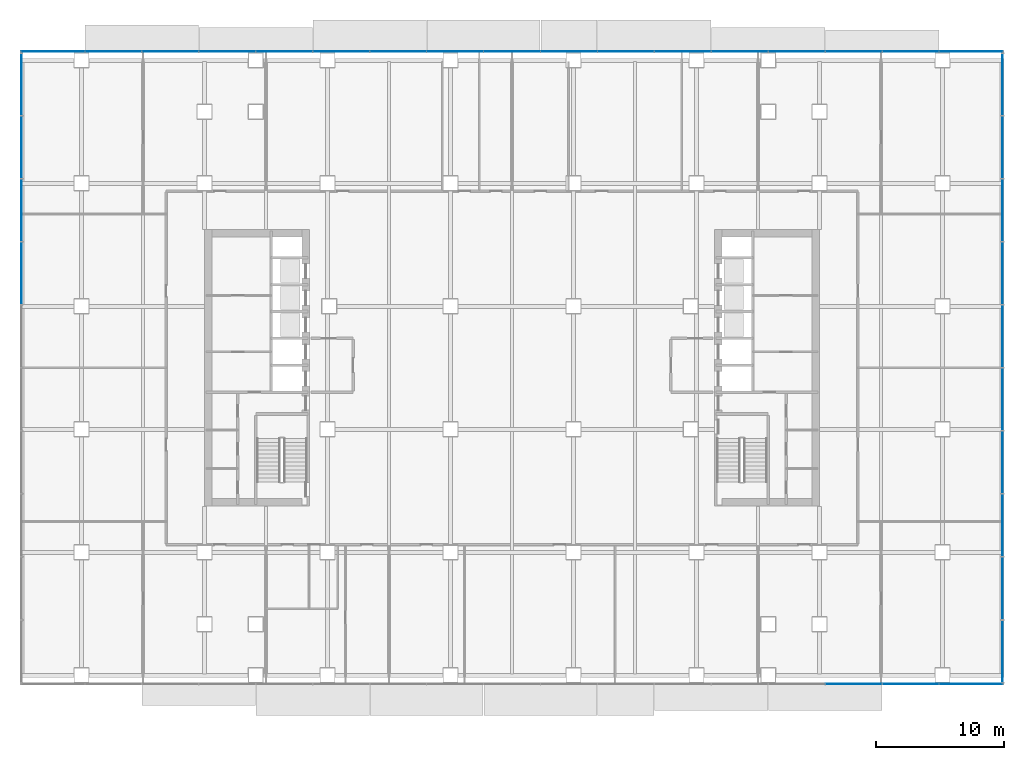
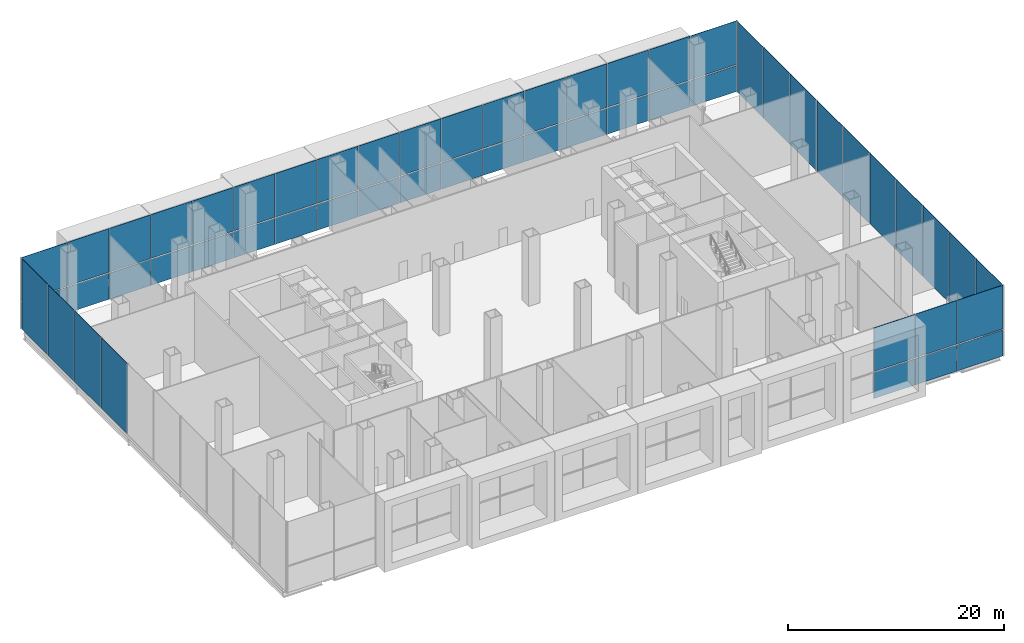
# One storey, part 14 of 24: 54 plates, 4 elements without a shape of their own.
"""IFC4 building model written with IfcOpenShell, lengths in metres."""

from ifc_helpers import new_model, si_unit, direction, frame, origin, origin_2d, place, context, subcontext, project, spatial, rectangle, extrude, material, layer, layer_set, type_object, element, aggregate, save


model = new_model("IFC4")

# Units and contexts
model_context = context("Model", 3, precision=1e-05, world=origin(), true_north=direction((0.0, 1.0)))
body_context = subcontext(model_context, "Body", "Model", "MODEL_VIEW")
ifc_project = project(units=[si_unit("LENGTHUNIT", "METRE"), si_unit("AREAUNIT", "SQUARE_METRE"), si_unit("VOLUMEUNIT", "CUBIC_METRE"), si_unit("PLANEANGLEUNIT", "RADIAN"), si_unit("MASSUNIT", "GRAM", prefix="KILO")], contexts=[model_context])

# Site, building, storey
site_placement = place(None, origin())
site = spatial("IfcSite", under=ifc_project, at=site_placement, CompositionType="ELEMENT")
building_placement = place(site_placement, origin())
building = spatial("IfcBuilding", under=site, at=building_placement, Name="Cobrizo Arcos Hotel Tower", CompositionType="ELEMENT")
storey_placement = place(building_placement, frame((0.0, 0.0, 7.5)))
storey = spatial("IfcBuildingStorey", under=building, at=storey_placement, Name="L01", CompositionType="ELEMENT", Elevation=7.5)

# Curtain wall, plates
ifc_material_1 = material(Name="Aluminium 6063-T6 anodised bronze", Category="aluminium")
curtain_wall_type_1 = type_object("IfcCurtainWallType", Name="CW-A guest facade", PredefinedType="NOTDEFINED", material=ifc_material_1)
curtain_wall_1_placement = place(storey_placement, origin())
curtain_wall_1 = element("IfcCurtainWall", 1, at=curtain_wall_1_placement, inside=storey, type_object=curtain_wall_type_1, Name="CW-A L01 N face", PredefinedType="NOTDEFINED")
ifc_material_2 = material(Name="Glass clear laminated low-e", Category="glass")
ifc_layer_1 = layer(ifc_material_2, 0.0400390625)
ifc_layer_set_1 = layer_set([ifc_layer_1], Name="CW-A glass panel")
plate_type_1 = type_object("IfcPlateType", Name="CW-A glass panel", PredefinedType="CURTAIN_PANEL", material=ifc_layer_set_1)
plate_1_placement = place(storey_placement, frame((35.839111328125, 24.675048828125, 0.0), z_axis=(0.0, 0.0, 1.0), x_axis=(-1.0, 0.0, 0.0)))
plate_1 = element("IfcPlate", 2, at=plate_1_placement, type_object=plate_type_1, Name="CW-A glass panel 63", PredefinedType="CURTAIN_PANEL", context=body_context, shape_type="SweptSolid", body=[
    extrude(rectangle(XDim=4.95166015625, YDim=0.0400390625, at=origin_2d()), origin(), (0.0, 0.0, 1.0), 2.93994140625),
])
plate_2_placement = place(storey_placement, frame((35.839111328125, 24.675048828125, 3.06005859375), z_axis=(0.0, 0.0, 1.0), x_axis=(-1.0, 0.0, 0.0)))
plate_2 = element("IfcPlate", 3, at=plate_2_placement, type_object=plate_type_1, Name="CW-A glass panel 63", PredefinedType="CURTAIN_PANEL", context=body_context, shape_type="SweptSolid", body=[
    extrude(rectangle(XDim=4.95166015625, YDim=0.0400390625, at=origin_2d()), origin(), (0.0, 0.0, 1.0), 4.93994140625),
])
plate_3_placement = place(storey_placement, frame((31.111083984375, 24.675048828125, 0.0), z_axis=(0.0, 0.0, 1.0), x_axis=(-1.0, 0.0, 0.0)))
plate_3 = element("IfcPlate", 4, at=plate_3_placement, type_object=plate_type_1, Name="CW-A glass panel 64", PredefinedType="CURTAIN_PANEL", context=body_context, shape_type="SweptSolid", body=[
    extrude(rectangle(XDim=4.384521484375, YDim=0.0400390625, at=origin_2d()), origin(), (0.0, 0.0, 1.0), 2.93994140625),
])
plate_4_placement = place(storey_placement, frame((31.111083984375, 24.675048828125, 3.06005859375), z_axis=(0.0, 0.0, 1.0), x_axis=(-1.0, 0.0, 0.0)))
plate_4 = element("IfcPlate", 5, at=plate_4_placement, type_object=plate_type_1, Name="CW-A glass panel 64", PredefinedType="CURTAIN_PANEL", context=body_context, shape_type="SweptSolid", body=[
    extrude(rectangle(XDim=4.384521484375, YDim=0.0400390625, at=origin_2d()), origin(), (0.0, 0.0, 1.0), 4.93994140625),
])
plate_5_placement = place(storey_placement, frame((26.666748046875, 24.675048828125, 0.0), z_axis=(0.0, 0.0, 1.0), x_axis=(-1.0, 0.0, 0.0)))
plate_5 = element("IfcPlate", 6, at=plate_5_placement, type_object=plate_type_1, Name="CW-A glass panel 65", PredefinedType="CURTAIN_PANEL", context=body_context, shape_type="SweptSolid", body=[
    extrude(rectangle(XDim=4.384521484375, YDim=0.0400390625, at=origin_2d()), origin(), (0.0, 0.0, 1.0), 2.93994140625),
])
plate_6_placement = place(storey_placement, frame((26.666748046875, 24.675048828125, 3.06005859375), z_axis=(0.0, 0.0, 1.0), x_axis=(-1.0, 0.0, 0.0)))
plate_6 = element("IfcPlate", 7, at=plate_6_placement, type_object=plate_type_1, Name="CW-A glass panel 65", PredefinedType="CURTAIN_PANEL", context=body_context, shape_type="SweptSolid", body=[
    extrude(rectangle(XDim=4.384521484375, YDim=0.0400390625, at=origin_2d()), origin(), (0.0, 0.0, 1.0), 4.93994140625),
])
plate_7_placement = place(storey_placement, frame((22.22216796875, 24.675048828125, 0.0), z_axis=(0.0, 0.0, 1.0), x_axis=(-1.0, 0.0, 0.0)))
plate_7 = element("IfcPlate", 8, at=plate_7_placement, type_object=plate_type_1, Name="CW-A glass panel 66", PredefinedType="CURTAIN_PANEL", context=body_context, shape_type="SweptSolid", body=[
    extrude(rectangle(XDim=4.384521484375, YDim=0.0400390625, at=origin_2d()), origin(), (0.0, 0.0, 1.0), 2.93994140625),
])
plate_8_placement = place(storey_placement, frame((22.22216796875, 24.675048828125, 3.06005859375), z_axis=(0.0, 0.0, 1.0), x_axis=(-1.0, 0.0, 0.0)))
plate_8 = element("IfcPlate", 9, at=plate_8_placement, type_object=plate_type_1, Name="CW-A glass panel 66", PredefinedType="CURTAIN_PANEL", context=body_context, shape_type="SweptSolid", body=[
    extrude(rectangle(XDim=4.384521484375, YDim=0.0400390625, at=origin_2d()), origin(), (0.0, 0.0, 1.0), 4.93994140625),
])
plate_9_placement = place(storey_placement, frame((17.77783203125, 24.675048828125, 0.0), z_axis=(0.0, 0.0, 1.0), x_axis=(-1.0, 0.0, 0.0)))
plate_9 = element("IfcPlate", 10, at=plate_9_placement, type_object=plate_type_1, Name="CW-A glass panel 67", PredefinedType="CURTAIN_PANEL", context=body_context, shape_type="SweptSolid", body=[
    extrude(rectangle(XDim=4.384521484375, YDim=0.0400390625, at=origin_2d()), origin(), (0.0, 0.0, 1.0), 2.93994140625),
])
plate_10_placement = place(storey_placement, frame((17.77783203125, 24.675048828125, 3.06005859375), z_axis=(0.0, 0.0, 1.0), x_axis=(-1.0, 0.0, 0.0)))
plate_10 = element("IfcPlate", 11, at=plate_10_placement, type_object=plate_type_1, Name="CW-A glass panel 67", PredefinedType="CURTAIN_PANEL", context=body_context, shape_type="SweptSolid", body=[
    extrude(rectangle(XDim=4.384521484375, YDim=0.0400390625, at=origin_2d()), origin(), (0.0, 0.0, 1.0), 4.93994140625),
])
plate_11_placement = place(storey_placement, frame((13.333251953125, 24.675048828125, 0.0), z_axis=(0.0, 0.0, 1.0), x_axis=(-1.0, 0.0, 0.0)))
plate_11 = element("IfcPlate", 12, at=plate_11_placement, type_object=plate_type_1, Name="CW-A glass panel 68", PredefinedType="CURTAIN_PANEL", context=body_context, shape_type="SweptSolid", body=[
    extrude(rectangle(XDim=4.384521484375, YDim=0.0400390625, at=origin_2d()), origin(), (0.0, 0.0, 1.0), 2.93994140625),
])
plate_12_placement = place(storey_placement, frame((13.333251953125, 24.675048828125, 3.06005859375), z_axis=(0.0, 0.0, 1.0), x_axis=(-1.0, 0.0, 0.0)))
plate_12 = element("IfcPlate", 13, at=plate_12_placement, type_object=plate_type_1, Name="CW-A glass panel 68", PredefinedType="CURTAIN_PANEL", context=body_context, shape_type="SweptSolid", body=[
    extrude(rectangle(XDim=4.384521484375, YDim=0.0400390625, at=origin_2d()), origin(), (0.0, 0.0, 1.0), 4.93994140625),
])
plate_13_placement = place(storey_placement, frame((8.888916015625, 24.675048828125, 0.0), z_axis=(0.0, 0.0, 1.0), x_axis=(-1.0, 0.0, 0.0)))
plate_13 = element("IfcPlate", 14, at=plate_13_placement, type_object=plate_type_1, Name="CW-A glass panel 69", PredefinedType="CURTAIN_PANEL", context=body_context, shape_type="SweptSolid", body=[
    extrude(rectangle(XDim=4.384521484375, YDim=0.0400390625, at=origin_2d()), origin(), (0.0, 0.0, 1.0), 2.93994140625),
])
plate_14_placement = place(storey_placement, frame((8.888916015625, 24.675048828125, 3.06005859375), z_axis=(0.0, 0.0, 1.0), x_axis=(-1.0, 0.0, 0.0)))
plate_14 = element("IfcPlate", 15, at=plate_14_placement, type_object=plate_type_1, Name="CW-A glass panel 69", PredefinedType="CURTAIN_PANEL", context=body_context, shape_type="SweptSolid", body=[
    extrude(rectangle(XDim=4.384521484375, YDim=0.0400390625, at=origin_2d()), origin(), (0.0, 0.0, 1.0), 4.93994140625),
])
plate_15_placement = place(storey_placement, frame((4.4443359375, 24.675048828125, 0.0), z_axis=(0.0, 0.0, 1.0), x_axis=(-1.0, 0.0, 0.0)))
plate_15 = element("IfcPlate", 16, at=plate_15_placement, type_object=plate_type_1, Name="CW-A glass panel 70", PredefinedType="CURTAIN_PANEL", context=body_context, shape_type="SweptSolid", body=[
    extrude(rectangle(XDim=4.384521484375, YDim=0.0400390625, at=origin_2d()), origin(), (0.0, 0.0, 1.0), 2.93994140625),
])
plate_16_placement = place(storey_placement, frame((4.4443359375, 24.675048828125, 3.06005859375), z_axis=(0.0, 0.0, 1.0), x_axis=(-1.0, 0.0, 0.0)))
plate_16 = element("IfcPlate", 17, at=plate_16_placement, type_object=plate_type_1, Name="CW-A glass panel 70", PredefinedType="CURTAIN_PANEL", context=body_context, shape_type="SweptSolid", body=[
    extrude(rectangle(XDim=4.384521484375, YDim=0.0400390625, at=origin_2d()), origin(), (0.0, 0.0, 1.0), 4.93994140625),
])
plate_17_placement = place(storey_placement, frame((0.0, 24.675048828125, 0.0), z_axis=(0.0, 0.0, 1.0), x_axis=(-1.0, 0.0, 0.0)))
plate_17 = element("IfcPlate", 18, at=plate_17_placement, type_object=plate_type_1, Name="CW-A glass panel 71", PredefinedType="CURTAIN_PANEL", context=body_context, shape_type="SweptSolid", body=[
    extrude(rectangle(XDim=4.384521484375, YDim=0.0400390625, at=origin_2d()), origin(), (0.0, 0.0, 1.0), 2.93994140625),
])
plate_18_placement = place(storey_placement, frame((0.0, 24.675048828125, 3.06005859375), z_axis=(0.0, 0.0, 1.0), x_axis=(-1.0, 0.0, 0.0)))
plate_18 = element("IfcPlate", 19, at=plate_18_placement, type_object=plate_type_1, Name="CW-A glass panel 71", PredefinedType="CURTAIN_PANEL", context=body_context, shape_type="SweptSolid", body=[
    extrude(rectangle(XDim=4.384521484375, YDim=0.0400390625, at=origin_2d()), origin(), (0.0, 0.0, 1.0), 4.93994140625),
])
plate_19_placement = place(storey_placement, frame((-4.4443359375, 24.675048828125, 0.0), z_axis=(0.0, 0.0, 1.0), x_axis=(-1.0, 0.0, 0.0)))
plate_19 = element("IfcPlate", 20, at=plate_19_placement, type_object=plate_type_1, Name="CW-A glass panel 72", PredefinedType="CURTAIN_PANEL", context=body_context, shape_type="SweptSolid", body=[
    extrude(rectangle(XDim=4.384521484375, YDim=0.0400390625, at=origin_2d()), origin(), (0.0, 0.0, 1.0), 2.93994140625),
])
plate_20_placement = place(storey_placement, frame((-4.4443359375, 24.675048828125, 3.06005859375), z_axis=(0.0, 0.0, 1.0), x_axis=(-1.0, 0.0, 0.0)))
plate_20 = element("IfcPlate", 21, at=plate_20_placement, type_object=plate_type_1, Name="CW-A glass panel 72", PredefinedType="CURTAIN_PANEL", context=body_context, shape_type="SweptSolid", body=[
    extrude(rectangle(XDim=4.384521484375, YDim=0.0400390625, at=origin_2d()), origin(), (0.0, 0.0, 1.0), 4.93994140625),
])
plate_21_placement = place(storey_placement, frame((-8.888916015625, 24.675048828125, 0.0), z_axis=(0.0, 0.0, 1.0), x_axis=(-1.0, 0.0, 0.0)))
plate_21 = element("IfcPlate", 22, at=plate_21_placement, type_object=plate_type_1, Name="CW-A glass panel 73", PredefinedType="CURTAIN_PANEL", context=body_context, shape_type="SweptSolid", body=[
    extrude(rectangle(XDim=4.384521484375, YDim=0.0400390625, at=origin_2d()), origin(), (0.0, 0.0, 1.0), 2.93994140625),
])
plate_22_placement = place(storey_placement, frame((-8.888916015625, 24.675048828125, 3.06005859375), z_axis=(0.0, 0.0, 1.0), x_axis=(-1.0, 0.0, 0.0)))
plate_22 = element("IfcPlate", 23, at=plate_22_placement, type_object=plate_type_1, Name="CW-A glass panel 73", PredefinedType="CURTAIN_PANEL", context=body_context, shape_type="SweptSolid", body=[
    extrude(rectangle(XDim=4.384521484375, YDim=0.0400390625, at=origin_2d()), origin(), (0.0, 0.0, 1.0), 4.93994140625),
])
plate_23_placement = place(storey_placement, frame((-13.333251953125, 24.675048828125, 0.0), z_axis=(0.0, 0.0, 1.0), x_axis=(-1.0, 0.0, 0.0)))
plate_23 = element("IfcPlate", 24, at=plate_23_placement, type_object=plate_type_1, Name="CW-A glass panel 74", PredefinedType="CURTAIN_PANEL", context=body_context, shape_type="SweptSolid", body=[
    extrude(rectangle(XDim=4.384521484375, YDim=0.0400390625, at=origin_2d()), origin(), (0.0, 0.0, 1.0), 2.93994140625),
])
plate_24_placement = place(storey_placement, frame((-13.333251953125, 24.675048828125, 3.06005859375), z_axis=(0.0, 0.0, 1.0), x_axis=(-1.0, 0.0, 0.0)))
plate_24 = element("IfcPlate", 25, at=plate_24_placement, type_object=plate_type_1, Name="CW-A glass panel 74", PredefinedType="CURTAIN_PANEL", context=body_context, shape_type="SweptSolid", body=[
    extrude(rectangle(XDim=4.384521484375, YDim=0.0400390625, at=origin_2d()), origin(), (0.0, 0.0, 1.0), 4.93994140625),
])
plate_25_placement = place(storey_placement, frame((-17.77783203125, 24.675048828125, 0.0), z_axis=(0.0, 0.0, 1.0), x_axis=(-1.0, 0.0, 0.0)))
plate_25 = element("IfcPlate", 26, at=plate_25_placement, type_object=plate_type_1, Name="CW-A glass panel 75", PredefinedType="CURTAIN_PANEL", context=body_context, shape_type="SweptSolid", body=[
    extrude(rectangle(XDim=4.384521484375, YDim=0.0400390625, at=origin_2d()), origin(), (0.0, 0.0, 1.0), 2.93994140625),
])
plate_26_placement = place(storey_placement, frame((-17.77783203125, 24.675048828125, 3.06005859375), z_axis=(0.0, 0.0, 1.0), x_axis=(-1.0, 0.0, 0.0)))
plate_26 = element("IfcPlate", 27, at=plate_26_placement, type_object=plate_type_1, Name="CW-A glass panel 75", PredefinedType="CURTAIN_PANEL", context=body_context, shape_type="SweptSolid", body=[
    extrude(rectangle(XDim=4.384521484375, YDim=0.0400390625, at=origin_2d()), origin(), (0.0, 0.0, 1.0), 4.93994140625),
])
plate_27_placement = place(storey_placement, frame((-22.22216796875, 24.675048828125, 0.0), z_axis=(0.0, 0.0, 1.0), x_axis=(-1.0, 0.0, 0.0)))
plate_27 = element("IfcPlate", 28, at=plate_27_placement, type_object=plate_type_1, Name="CW-A glass panel 76", PredefinedType="CURTAIN_PANEL", context=body_context, shape_type="SweptSolid", body=[
    extrude(rectangle(XDim=4.384521484375, YDim=0.0400390625, at=origin_2d()), origin(), (0.0, 0.0, 1.0), 2.93994140625),
])
plate_28_placement = place(storey_placement, frame((-22.22216796875, 24.675048828125, 3.06005859375), z_axis=(0.0, 0.0, 1.0), x_axis=(-1.0, 0.0, 0.0)))
plate_28 = element("IfcPlate", 29, at=plate_28_placement, type_object=plate_type_1, Name="CW-A glass panel 76", PredefinedType="CURTAIN_PANEL", context=body_context, shape_type="SweptSolid", body=[
    extrude(rectangle(XDim=4.384521484375, YDim=0.0400390625, at=origin_2d()), origin(), (0.0, 0.0, 1.0), 4.93994140625),
])
plate_29_placement = place(storey_placement, frame((-26.666748046875, 24.675048828125, 0.0), z_axis=(0.0, 0.0, 1.0), x_axis=(-1.0, 0.0, 0.0)))
plate_29 = element("IfcPlate", 30, at=plate_29_placement, type_object=plate_type_1, Name="CW-A glass panel 77", PredefinedType="CURTAIN_PANEL", context=body_context, shape_type="SweptSolid", body=[
    extrude(rectangle(XDim=4.384521484375, YDim=0.0400390625, at=origin_2d()), origin(), (0.0, 0.0, 1.0), 2.93994140625),
])
plate_30_placement = place(storey_placement, frame((-26.666748046875, 24.675048828125, 3.06005859375), z_axis=(0.0, 0.0, 1.0), x_axis=(-1.0, 0.0, 0.0)))
plate_30 = element("IfcPlate", 31, at=plate_30_placement, type_object=plate_type_1, Name="CW-A glass panel 77", PredefinedType="CURTAIN_PANEL", context=body_context, shape_type="SweptSolid", body=[
    extrude(rectangle(XDim=4.384521484375, YDim=0.0400390625, at=origin_2d()), origin(), (0.0, 0.0, 1.0), 4.93994140625),
])
plate_31_placement = place(storey_placement, frame((-31.111083984375, 24.675048828125, 0.0), z_axis=(0.0, 0.0, 1.0), x_axis=(-1.0, 0.0, 0.0)))
plate_31 = element("IfcPlate", 32, at=plate_31_placement, type_object=plate_type_1, Name="CW-A glass panel 78", PredefinedType="CURTAIN_PANEL", context=body_context, shape_type="SweptSolid", body=[
    extrude(rectangle(XDim=4.384521484375, YDim=0.0400390625, at=origin_2d()), origin(), (0.0, 0.0, 1.0), 2.93994140625),
])
plate_32_placement = place(storey_placement, frame((-31.111083984375, 24.675048828125, 3.06005859375), z_axis=(0.0, 0.0, 1.0), x_axis=(-1.0, 0.0, 0.0)))
plate_32 = element("IfcPlate", 33, at=plate_32_placement, type_object=plate_type_1, Name="CW-A glass panel 78", PredefinedType="CURTAIN_PANEL", context=body_context, shape_type="SweptSolid", body=[
    extrude(rectangle(XDim=4.384521484375, YDim=0.0400390625, at=origin_2d()), origin(), (0.0, 0.0, 1.0), 4.93994140625),
])
plate_33_placement = place(storey_placement, frame((-35.839111328125, 24.675048828125, 0.0), z_axis=(0.0, 0.0, 1.0), x_axis=(-1.0, 0.0, 0.0)))
plate_33 = element("IfcPlate", 34, at=plate_33_placement, type_object=plate_type_1, Name="CW-A glass panel 79", PredefinedType="CURTAIN_PANEL", context=body_context, shape_type="SweptSolid", body=[
    extrude(rectangle(XDim=4.95166015625, YDim=0.0400390625, at=origin_2d()), origin(), (0.0, 0.0, 1.0), 2.93994140625),
])
plate_34_placement = place(storey_placement, frame((-35.839111328125, 24.675048828125, 3.06005859375), z_axis=(0.0, 0.0, 1.0), x_axis=(-1.0, 0.0, 0.0)))
plate_34 = element("IfcPlate", 35, at=plate_34_placement, type_object=plate_type_1, Name="CW-A glass panel 79", PredefinedType="CURTAIN_PANEL", context=body_context, shape_type="SweptSolid", body=[
    extrude(rectangle(XDim=4.95166015625, YDim=0.0400390625, at=origin_2d()), origin(), (0.0, 0.0, 1.0), 4.93994140625),
])
aggregate(curtain_wall_1, [plate_1, plate_2, plate_3, plate_4, plate_5, plate_6, plate_7, plate_8, plate_9, plate_10, plate_11, plate_12, plate_13, plate_14, plate_15, plate_16, plate_17, plate_18, plate_19, plate_20, plate_21, plate_22, plate_23, plate_24, plate_25, plate_26, plate_27, plate_28, plate_29, plate_30, plate_31, plate_32, plate_33, plate_34])

curtain_wall_2_placement = place(storey_placement, origin())
curtain_wall_2 = element("IfcCurtainWall", 36, at=curtain_wall_2_placement, inside=storey, type_object=curtain_wall_type_1, Name="CW-A L01 S face", PredefinedType="NOTDEFINED")
plate_35_placement = place(storey_placement, frame((26.666748046875, -24.675048828125, 0.0), z_axis=(0.0, 0.0, 1.0), x_axis=(1.0, 0.0, 0.0)))
plate_35 = element("IfcPlate", 37, at=plate_35_placement, type_object=plate_type_1, Name="CW-A glass panel 104", PredefinedType="CURTAIN_PANEL", context=body_context, shape_type="SweptSolid", body=[
    extrude(rectangle(XDim=4.384521484375, YDim=0.0400390625, at=origin_2d()), origin(), (0.0, 0.0, 1.0), 2.93994140625),
])
plate_36_placement = place(storey_placement, frame((26.666748046875, -24.675048828125, 3.06005859375), z_axis=(0.0, 0.0, 1.0), x_axis=(1.0, 0.0, 0.0)))
plate_36 = element("IfcPlate", 38, at=plate_36_placement, type_object=plate_type_1, Name="CW-A glass panel 104", PredefinedType="CURTAIN_PANEL", context=body_context, shape_type="SweptSolid", body=[
    extrude(rectangle(XDim=4.384521484375, YDim=0.0400390625, at=origin_2d()), origin(), (0.0, 0.0, 1.0), 4.93994140625),
])
plate_37_placement = place(storey_placement, frame((31.111083984375, -24.675048828125, 0.0), z_axis=(0.0, 0.0, 1.0), x_axis=(1.0, 0.0, 0.0)))
plate_37 = element("IfcPlate", 39, at=plate_37_placement, type_object=plate_type_1, Name="CW-A glass panel 105", PredefinedType="CURTAIN_PANEL", context=body_context, shape_type="SweptSolid", body=[
    extrude(rectangle(XDim=4.384521484375, YDim=0.0400390625, at=origin_2d()), origin(), (0.0, 0.0, 1.0), 2.93994140625),
])
plate_38_placement = place(storey_placement, frame((31.111083984375, -24.675048828125, 3.06005859375), z_axis=(0.0, 0.0, 1.0), x_axis=(1.0, 0.0, 0.0)))
plate_38 = element("IfcPlate", 40, at=plate_38_placement, type_object=plate_type_1, Name="CW-A glass panel 105", PredefinedType="CURTAIN_PANEL", context=body_context, shape_type="SweptSolid", body=[
    extrude(rectangle(XDim=4.384521484375, YDim=0.0400390625, at=origin_2d()), origin(), (0.0, 0.0, 1.0), 4.93994140625),
])
plate_39_placement = place(storey_placement, frame((35.839111328125, -24.675048828125, 0.0), z_axis=(0.0, 0.0, 1.0), x_axis=(1.0, 0.0, 0.0)))
plate_39 = element("IfcPlate", 41, at=plate_39_placement, type_object=plate_type_1, Name="CW-A glass panel 106", PredefinedType="CURTAIN_PANEL", context=body_context, shape_type="SweptSolid", body=[
    extrude(rectangle(XDim=4.95166015625, YDim=0.0400390625, at=origin_2d()), origin(), (0.0, 0.0, 1.0), 2.93994140625),
])
plate_40_placement = place(storey_placement, frame((35.839111328125, -24.675048828125, 3.06005859375), z_axis=(0.0, 0.0, 1.0), x_axis=(1.0, 0.0, 0.0)))
plate_40 = element("IfcPlate", 42, at=plate_40_placement, type_object=plate_type_1, Name="CW-A glass panel 106", PredefinedType="CURTAIN_PANEL", context=body_context, shape_type="SweptSolid", body=[
    extrude(rectangle(XDim=4.95166015625, YDim=0.0400390625, at=origin_2d()), origin(), (0.0, 0.0, 1.0), 4.93994140625),
])
aggregate(curtain_wall_2, [plate_35, plate_36, plate_37, plate_38, plate_39, plate_40])

curtain_wall_type_2 = type_object("IfcCurtainWallType", Name="CW-B podium glazing", PredefinedType="NOTDEFINED", material=ifc_material_1)
curtain_wall_3_placement = place(storey_placement, origin())
curtain_wall_3 = element("IfcCurtainWall", 43, at=curtain_wall_3_placement, inside=storey, type_object=curtain_wall_type_2, Name="CW-B L01 E face", PredefinedType="NOTDEFINED")
ifc_material_3 = material(Name="Aluminium composite panel pale metal", Category="aluminium")
ifc_layer_2 = layer(ifc_material_3, 0.06005859375)
ifc_layer_set_2 = layer_set([ifc_layer_2], Name="CW-B spandrel panel")
plate_type_2 = type_object("IfcPlateType", Name="CW-B spandrel panel", PredefinedType="CURTAIN_PANEL", material=ifc_layer_set_2)
plate_41_placement = place(storey_placement, frame((38.300048828125, -22.1201171875, 0.0), z_axis=(0.0, 0.0, 1.0), x_axis=(0.0, 1.0, 0.0)))
plate_41 = element("IfcPlate", 44, at=plate_41_placement, type_object=plate_type_2, Name="CW-B spandrel panel 53", PredefinedType="CURTAIN_PANEL", context=body_context, shape_type="SweptSolid", body=[
    extrude(rectangle(XDim=4.800048828125, YDim=0.0400390625, at=origin_2d()), origin(), (0.0, 0.0, 1.0), 8.0),
])
plate_42_placement = place(storey_placement, frame((38.300048828125, -17.219970703125, 0.0), z_axis=(0.0, 0.0, 1.0), x_axis=(0.0, 1.0, 0.0)))
plate_42 = element("IfcPlate", 45, at=plate_42_placement, type_object=plate_type_2, Name="CW-B spandrel panel 54", PredefinedType="CURTAIN_PANEL", context=body_context, shape_type="SweptSolid", body=[
    extrude(rectangle(XDim=4.840087890625, YDim=0.0400390625, at=origin_2d()), origin(), (0.0, 0.0, 1.0), 8.0),
])
plate_43_placement = place(storey_placement, frame((38.300048828125, -12.300048828125, 0.0), z_axis=(0.0, 0.0, 1.0), x_axis=(0.0, 1.0, 0.0)))
plate_43 = element("IfcPlate", 46, at=plate_43_placement, type_object=plate_type_2, Name="CW-B spandrel panel 55", PredefinedType="CURTAIN_PANEL", context=body_context, shape_type="SweptSolid", body=[
    extrude(rectangle(XDim=4.840087890625, YDim=0.0400390625, at=origin_2d()), origin(), (0.0, 0.0, 1.0), 8.0),
])
plate_44_placement = place(storey_placement, frame((38.300048828125, -7.3798828125, 0.0), z_axis=(0.0, 0.0, 1.0), x_axis=(0.0, 1.0, 0.0)))
plate_44 = element("IfcPlate", 47, at=plate_44_placement, type_object=plate_type_2, Name="CW-B spandrel panel 56", PredefinedType="CURTAIN_PANEL", context=body_context, shape_type="SweptSolid", body=[
    extrude(rectangle(XDim=4.840087890625, YDim=0.0400390625, at=origin_2d()), origin(), (0.0, 0.0, 1.0), 8.0),
])
plate_45_placement = place(storey_placement, frame((38.300048828125, -2.4599609375, 0.0), z_axis=(0.0, 0.0, 1.0), x_axis=(0.0, 1.0, 0.0)))
plate_45 = element("IfcPlate", 48, at=plate_45_placement, type_object=plate_type_2, Name="CW-B spandrel panel 57", PredefinedType="CURTAIN_PANEL", context=body_context, shape_type="SweptSolid", body=[
    extrude(rectangle(XDim=4.840087890625, YDim=0.0400390625, at=origin_2d()), origin(), (0.0, 0.0, 1.0), 8.0),
])
plate_46_placement = place(storey_placement, frame((38.300048828125, 2.4599609375, 0.0), z_axis=(0.0, 0.0, 1.0), x_axis=(0.0, 1.0, 0.0)))
plate_46 = element("IfcPlate", 49, at=plate_46_placement, type_object=plate_type_2, Name="CW-B spandrel panel 58", PredefinedType="CURTAIN_PANEL", context=body_context, shape_type="SweptSolid", body=[
    extrude(rectangle(XDim=4.840087890625, YDim=0.0400390625, at=origin_2d()), origin(), (0.0, 0.0, 1.0), 8.0),
])
plate_47_placement = place(storey_placement, frame((38.300048828125, 7.3798828125, 0.0), z_axis=(0.0, 0.0, 1.0), x_axis=(0.0, 1.0, 0.0)))
plate_47 = element("IfcPlate", 50, at=plate_47_placement, type_object=plate_type_2, Name="CW-B spandrel panel 59", PredefinedType="CURTAIN_PANEL", context=body_context, shape_type="SweptSolid", body=[
    extrude(rectangle(XDim=4.840087890625, YDim=0.0400390625, at=origin_2d()), origin(), (0.0, 0.0, 1.0), 8.0),
])
plate_48_placement = place(storey_placement, frame((38.300048828125, 12.300048828125, 0.0), z_axis=(0.0, 0.0, 1.0), x_axis=(0.0, 1.0, 0.0)))
plate_48 = element("IfcPlate", 51, at=plate_48_placement, type_object=plate_type_2, Name="CW-B spandrel panel 60", PredefinedType="CURTAIN_PANEL", context=body_context, shape_type="SweptSolid", body=[
    extrude(rectangle(XDim=4.840087890625, YDim=0.0400390625, at=origin_2d()), origin(), (0.0, 0.0, 1.0), 8.0),
])
plate_49_placement = place(storey_placement, frame((38.300048828125, 17.219970703125, 0.0), z_axis=(0.0, 0.0, 1.0), x_axis=(0.0, 1.0, 0.0)))
plate_49 = element("IfcPlate", 52, at=plate_49_placement, type_object=plate_type_2, Name="CW-B spandrel panel 61", PredefinedType="CURTAIN_PANEL", context=body_context, shape_type="SweptSolid", body=[
    extrude(rectangle(XDim=4.840087890625, YDim=0.0400390625, at=origin_2d()), origin(), (0.0, 0.0, 1.0), 8.0),
])
plate_50_placement = place(storey_placement, frame((38.300048828125, 22.1201171875, 0.0), z_axis=(0.0, 0.0, 1.0), x_axis=(0.0, 1.0, 0.0)))
plate_50 = element("IfcPlate", 53, at=plate_50_placement, type_object=plate_type_2, Name="CW-B spandrel panel 62", PredefinedType="CURTAIN_PANEL", context=body_context, shape_type="SweptSolid", body=[
    extrude(rectangle(XDim=4.800048828125, YDim=0.0400390625, at=origin_2d()), origin(), (0.0, 0.0, 1.0), 8.0),
])
aggregate(curtain_wall_3, [plate_41, plate_42, plate_43, plate_44, plate_45, plate_46, plate_47, plate_48, plate_49, plate_50])

curtain_wall_4_placement = place(storey_placement, origin())
curtain_wall_4 = element("IfcCurtainWall", 54, at=curtain_wall_4_placement, inside=storey, type_object=curtain_wall_type_2, Name="CW-B L01 W face", PredefinedType="NOTDEFINED")
plate_51_placement = place(storey_placement, frame((-38.300048828125, 22.1201171875, 0.0), z_axis=(0.0, 0.0, 1.0), x_axis=(0.0, -1.0, 0.0)))
plate_51 = element("IfcPlate", 55, at=plate_51_placement, type_object=plate_type_2, Name="CW-B spandrel panel 80", PredefinedType="CURTAIN_PANEL", context=body_context, shape_type="SweptSolid", body=[
    extrude(rectangle(XDim=4.800048828125, YDim=0.0400390625, at=origin_2d()), origin(), (0.0, 0.0, 1.0), 8.0),
])
plate_52_placement = place(storey_placement, frame((-38.300048828125, 17.219970703125, 0.0), z_axis=(0.0, 0.0, 1.0), x_axis=(0.0, -1.0, 0.0)))
plate_52 = element("IfcPlate", 56, at=plate_52_placement, type_object=plate_type_2, Name="CW-B spandrel panel 81", PredefinedType="CURTAIN_PANEL", context=body_context, shape_type="SweptSolid", body=[
    extrude(rectangle(XDim=4.840087890625, YDim=0.0400390625, at=origin_2d()), origin(), (0.0, 0.0, 1.0), 8.0),
])
plate_53_placement = place(storey_placement, frame((-38.300048828125, 12.300048828125, 0.0), z_axis=(0.0, 0.0, 1.0), x_axis=(0.0, -1.0, 0.0)))
plate_53 = element("IfcPlate", 57, at=plate_53_placement, type_object=plate_type_2, Name="CW-B spandrel panel 82", PredefinedType="CURTAIN_PANEL", context=body_context, shape_type="SweptSolid", body=[
    extrude(rectangle(XDim=4.840087890625, YDim=0.0400390625, at=origin_2d()), origin(), (0.0, 0.0, 1.0), 8.0),
])
plate_54_placement = place(storey_placement, frame((-38.300048828125, 7.3798828125, 0.0), z_axis=(0.0, 0.0, 1.0), x_axis=(0.0, -1.0, 0.0)))
plate_54 = element("IfcPlate", 58, at=plate_54_placement, type_object=plate_type_2, Name="CW-B spandrel panel 83", PredefinedType="CURTAIN_PANEL", context=body_context, shape_type="SweptSolid", body=[
    extrude(rectangle(XDim=4.840087890625, YDim=0.0400390625, at=origin_2d()), origin(), (0.0, 0.0, 1.0), 8.0),
])
aggregate(curtain_wall_4, [plate_51, plate_52, plate_53, plate_54])

save(model, "model.ifc")
